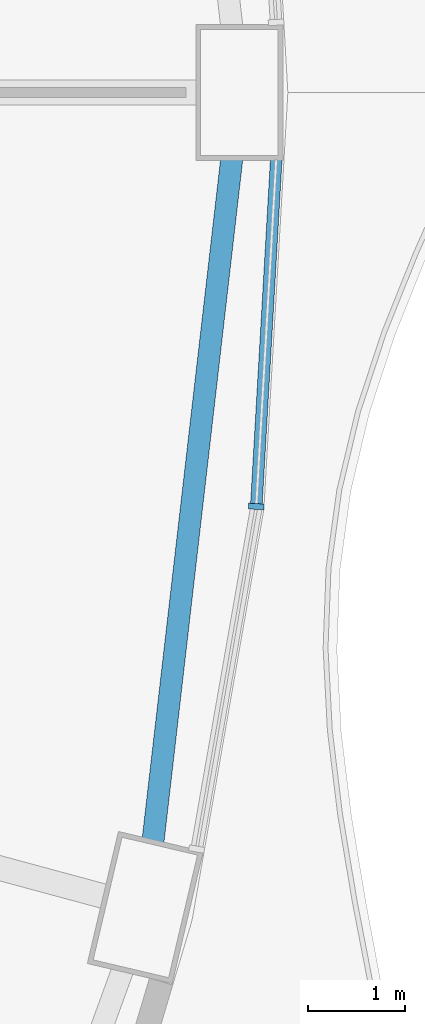
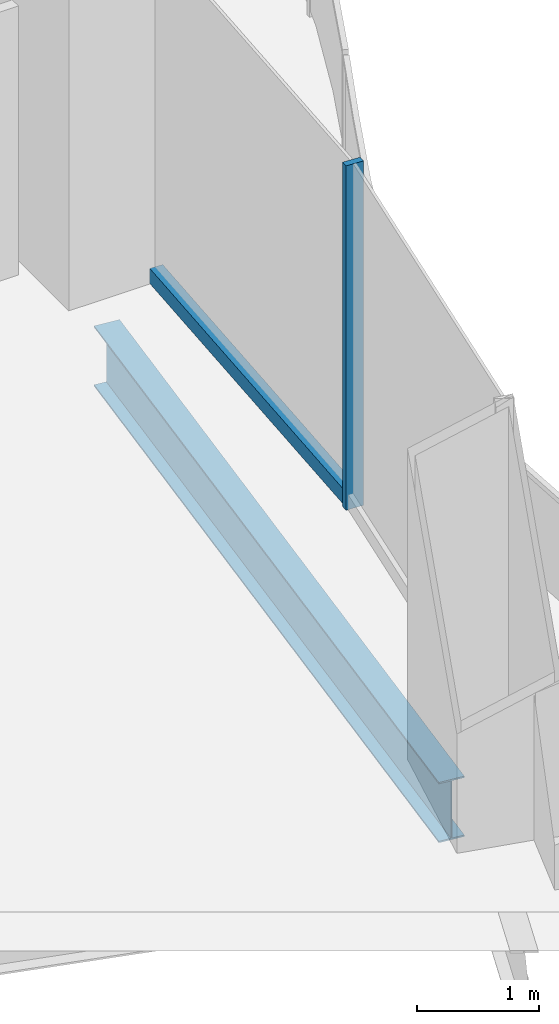
# One storey, part 6 of 22: 2 members, 1 beam, 1 element without a shape of its own.
"""IFC4 building model written with IfcOpenShell, lengths in metres."""

from ifc_helpers import new_model, si_unit, direction, frame, origin, origin_2d, place, context, subcontext, project, spatial, rectangle, i_section, extrude, material, layer, layer_set, material_profile, profile_set, type_object, element, aggregate, save


model = new_model("IFC4")

# Units and contexts
model_context = context("Model", 3, precision=1e-05, world=origin(), true_north=direction((0.0, 1.0)))
body_context = subcontext(model_context, "Body", "Model", "MODEL_VIEW")
ifc_project = project(units=[si_unit("LENGTHUNIT", "METRE"), si_unit("AREAUNIT", "SQUARE_METRE"), si_unit("VOLUMEUNIT", "CUBIC_METRE"), si_unit("PLANEANGLEUNIT", "RADIAN"), si_unit("MASSUNIT", "GRAM", prefix="KILO")], contexts=[model_context])

# Site, building, storey
site_placement = place(None, origin())
site = spatial("IfcSite", under=ifc_project, at=site_placement, CompositionType="ELEMENT")
building_placement = place(site_placement, origin())
building = spatial("IfcBuilding", under=site, at=building_placement, Name="Nagisa Residences", CompositionType="ELEMENT")
storey_placement = place(building_placement, frame((0.0, 0.0, 49.199951171875)))
storey = spatial("IfcBuildingStorey", under=building, at=storey_placement, Name="L11", CompositionType="ELEMENT", Elevation=49.199951171875)

# Curtain wall, members
ifc_material_1 = material(Name="Concrete-coloured aluminium curtain wall system", Category="concrete")
ifc_layer = layer(ifc_material_1, 0.159912109375)
ifc_layer_set = layer_set([ifc_layer], Name="CW1 CURTAIN WALL")
curtain_wall_type = type_object("IfcCurtainWallType", Name="CW1 CURTAIN WALL", PredefinedType="NOTDEFINED", material=ifc_layer_set)
curtain_wall_placement = place(storey_placement, origin())
curtain_wall = element("IfcCurtainWall", 1, at=curtain_wall_placement, inside=storey, type_object=curtain_wall_type, Name="cw:CW1:L11:47", PredefinedType="NOTDEFINED")
ifc_material_2 = material(Name="Concrete-coloured aluminium", Category="concrete")
ifc_material_profile_1 = material_profile(ifc_material_2, rectangle(XDim=0.159912109375, YDim=0.06005859375, at=origin_2d()), Name="CW1 MULLION 160x60")
ifc_profile_set_1 = profile_set([ifc_material_profile_1], Name="Concrete-coloured aluminium")
member_type_1 = type_object("IfcMemberType", Name="CW1 MULLION 160x60", PredefinedType="MULLION", material=ifc_profile_set_1)
member_1_placement = place(storey_placement, frame((32.273681640625, -4.272705078125, 0.0), z_axis=(0.0, 0.0, 1.0), x_axis=(-0.998345305184, 0.057503492216, 0.0)))
member_1 = element("IfcMember", 2, at=member_1_placement, type_object=member_type_1, Name="CW1 mullion", PredefinedType="MULLION", context=body_context, shape_type="SweptSolid", body=[
    extrude(rectangle(XDim=0.159912109375, YDim=0.06005859375, at=origin_2d()), origin(), (0.0, 0.0, 1.0), 3.43994140625),
])
ifc_material_3 = material(Name="Concrete-coloured aluminium", Category="concrete")
ifc_material_profile_2 = material_profile(ifc_material_3, rectangle(XDim=0.1201171875, YDim=0.14990234375, at=origin_2d()), Name="CW1 TRANSOM 120x150")
ifc_profile_set_2 = profile_set([ifc_material_profile_2], Name="Concrete-coloured aluminium")
member_type_2 = type_object("IfcMemberType", Name="CW1 TRANSOM 120x150", PredefinedType="USERDEFINED", material=ifc_profile_set_2)
member_2_placement = place(storey_placement, frame((32.27197265625, -4.302734375, 0.074951171875), z_axis=(0.057549926952, 0.998342629515, 0.0), x_axis=(-0.998342629515, 0.057549926952, 0.0)))
member_2 = element("IfcMember", 3, at=member_2_placement, type_object=member_type_2, Name="CW1 transom", ObjectType="TRANSOM", PredefinedType="USERDEFINED", context=body_context, shape_type="SweptSolid", body=[
    extrude(rectangle(XDim=0.1201171875, YDim=0.14990234375, at=origin_2d()), origin(), (0.0, 0.0, 1.0), 3.614501953125),
])
aggregate(curtain_wall, [member_1, member_2])

# Beam
ifc_material_4 = material(Name="Steel ASTM A572 Gr 50", Category="steel")
ifc_material_profile_3 = material_profile(ifc_material_4, i_section(OverallWidth=0.22802734375, OverallDepth=0.60302734375, WebThickness=0.010498046875, FlangeThickness=0.014892578125, at=origin_2d()), Name="W610x101")
ifc_profile_set_3 = profile_set([ifc_material_profile_3], Name="Steel ASTM A572 Gr 50")
beam_type = type_object("IfcBeamType", Name="Perimeter ring beam W610x101", PredefinedType="BEAM", material=ifc_profile_set_3)
beam_placement = place(storey_placement, frame((31.20751953125, -7.7314453125, -0.5615234375), z_axis=(0.114673717321, 0.993403210462, 0.0), x_axis=(-0.993403210462, 0.114673717321, 0.0)))
element("IfcBeam", 4, at=beam_placement, inside=storey, type_object=beam_type, Name="beam:L11:pb24", PredefinedType="BEAM", context=body_context, shape_type="SweptSolid", body=[
    extrude(i_section(OverallWidth=0.22802734375, OverallDepth=0.60302734375, WebThickness=0.010498046875, FlangeThickness=0.014892578125, at=origin_2d()), origin(), (0.0, 0.0, 1.0), 7.09814453125),
])

save(model, "model.ifc")
